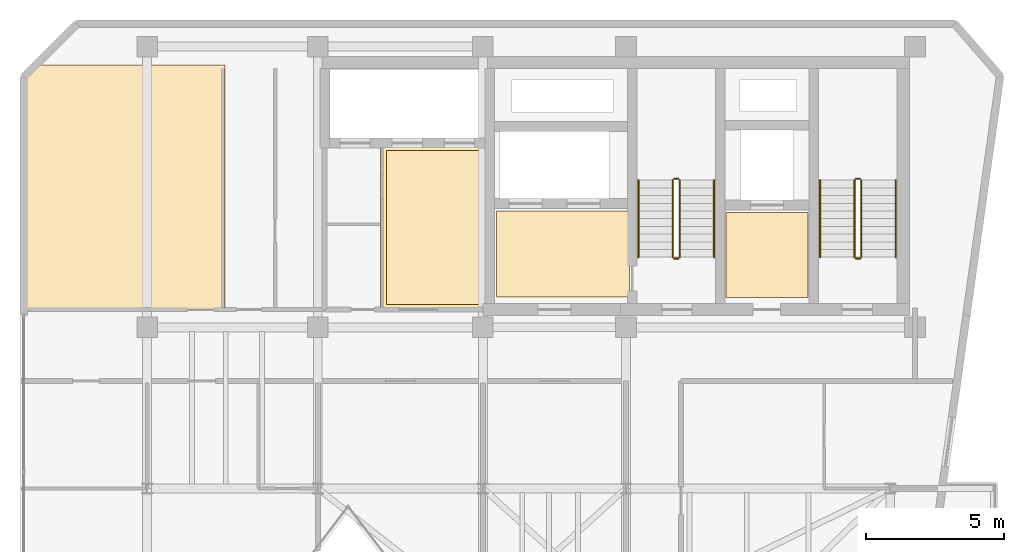
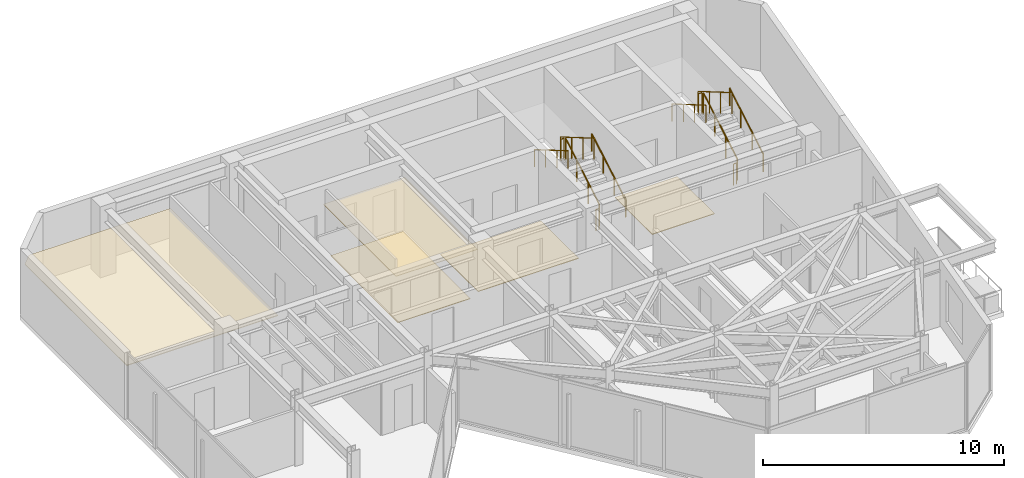
# One storey, part 15 of 16: 12 railings, 5 coverings.
"""IFC4 building model written with IfcOpenShell, lengths in metres."""

from ifc_helpers import new_model, si_unit, direction, frame, origin, origin_2d, place, context, subcontext, project, spatial, polyline, circle, outline, extrude, material, layer, layer_set, type_object, element, save


model = new_model("IFC4")

# Units and contexts
model_context = context("Model", 3, precision=1e-05, world=origin(), true_north=direction((0.0, 1.0)))
body_context = subcontext(model_context, "Body", "Model", "MODEL_VIEW")
ifc_project = project(units=[si_unit("LENGTHUNIT", "METRE"), si_unit("AREAUNIT", "SQUARE_METRE"), si_unit("VOLUMEUNIT", "CUBIC_METRE"), si_unit("PLANEANGLEUNIT", "RADIAN"), si_unit("MASSUNIT", "GRAM", prefix="KILO")], contexts=[model_context])

# Site, building, storey
site_placement = place(None, origin())
site = spatial("IfcSite", under=ifc_project, at=site_placement, CompositionType="ELEMENT")
building_placement = place(site_placement, origin())
building = spatial("IfcBuilding", under=site, at=building_placement, Name="Kravanh Interchange Tower", CompositionType="ELEMENT")
storey_placement = place(building_placement, frame((0.0, 0.0, 300.300048828125)))
storey = spatial("IfcBuildingStorey", under=building, at=storey_placement, Name="L74", CompositionType="ELEMENT", Elevation=300.300048828125)

# Coverings
ifc_material_1 = material(Name="Cementitious Terrazzo Tile")
ifc_layer_1 = layer(ifc_material_1, 0.030029296875)
ifc_layer_set_1 = layer_set([ifc_layer_1], Name="Honed Terrazzo Lobby Flooring 30mm")
covering_type_1 = type_object("IfcCoveringType", Name="Honed Terrazzo Lobby Flooring 30mm", PredefinedType="FLOORING", material=ifc_layer_set_1)
covering_1_placement = place(storey_placement, origin())
element("IfcCovering", 1, at=covering_1_placement, inside=storey, type_object=covering_type_1, Name="L74 Service Lift Lobby Floor Finish", PredefinedType="FLOORING", context=body_context, shape_type="SweptSolid", body=[
    extrude(outline(polyline([(59.6298828125, 41.52001953125), (62.6201171875, 41.52001953125), (62.6201171875, 38.429931640625), (59.6298828125, 38.429931640625), (59.6298828125, 41.52001953125)])), origin(), (0.0, 0.0, 1.0), 0.030029296875),
])
covering_2_placement = place(storey_placement, origin())
element("IfcCovering", 2, at=covering_2_placement, inside=storey, type_object=covering_type_1, Name="L74 Firefighting Lobby Floor Finish", PredefinedType="FLOORING", context=body_context, shape_type="SweptSolid", body=[
    extrude(outline(polyline([(56.1201171875, 38.4599609375), (51.300048828125, 38.4599609375), (51.300048828125, 41.580078125), (56.1201171875, 41.580078125), (56.1201171875, 38.4599609375)])), origin(), (0.0, 0.0, 1.0), 0.030029296875),
])
covering_3_placement = place(storey_placement, origin())
element("IfcCovering", 3, at=covering_3_placement, inside=storey, type_object=covering_type_1, Name="L74 High-Rise Lift Lobby Floor Finish", PredefinedType="FLOORING", context=body_context, shape_type="SweptSolid", body=[
    extrude(outline(polyline([(47.300048828125, 43.77001953125), (50.77001953125, 43.77001953125), (50.77001953125, 38.179931640625), (47.300048828125, 38.179931640625), (47.300048828125, 43.77001953125)])), origin(), (0.0, 0.0, 1.0), 0.030029296875),
])
ifc_material_2 = material(Name="Anodised Bronze Aluminium Acoustic Baffle", Category="aluminium")
ifc_layer_2 = layer(ifc_material_2, 0.034912109375)
ifc_layer_set_2 = layer_set([ifc_layer_2], Name="Linear Bronze Baffle Feature Ceiling 35mm")
covering_type_2 = type_object("IfcCoveringType", Name="Linear Bronze Baffle Feature Ceiling 35mm", PredefinedType="CEILING", material=ifc_layer_set_2)
covering_4_placement = place(storey_placement, frame((0.0, 0.0, 2.550048828125)))
element("IfcCovering", 4, at=covering_4_placement, inside=storey, type_object=covering_type_2, Name="L74 North Library Reading Lounge Suspended Ceiling", PredefinedType="CEILING", context=body_context, shape_type="SweptSolid", body=[
    extrude(outline(polyline([(41.429931640625, 37.9599609375), (34.179931640625, 37.9599609375), (34.179931640625, 46.42529296875), (34.64453125, 46.889892578125), (41.429931640625, 46.889892578125), (41.429931640625, 37.9599609375)])), origin(), (0.0, 0.0, 1.0), 0.034912109375),
])
ifc_material_3 = material(Name="Acoustic Mineral Fibre Tile on Aluminium Grid", Category="aluminium")
ifc_layer_3 = layer(ifc_material_3, 0.02490234375)
ifc_layer_set_3 = layer_set([ifc_layer_3], Name="Perforated Acoustic Mineral Ceiling 25mm")
covering_type_3 = type_object("IfcCoveringType", Name="Perforated Acoustic Mineral Ceiling 25mm", PredefinedType="CEILING", material=ifc_layer_set_3)
covering_5_placement = place(storey_placement, frame((0.0, 0.0, 2.550048828125)))
element("IfcCovering", 5, at=covering_5_placement, inside=storey, type_object=covering_type_3, Name="L74 High-Rise Lift Lobby Suspended Ceiling", PredefinedType="CEILING", context=body_context, shape_type="SweptSolid", body=[
    extrude(outline(polyline([(50.989990234375, 37.9599609375), (47.080078125, 37.9599609375), (47.080078125, 43.989990234375), (50.989990234375, 43.989990234375), (50.989990234375, 37.9599609375)])), origin(), (0.0, 0.0, 1.0), 0.02490234375),
])

# Railings
ifc_material_4 = material(Name="Structural Steel S355", Category="steel")
ifc_layer_4 = layer(ifc_material_4, 0.050048828125)
ifc_layer_set_4 = layer_set([ifc_layer_4], Name="Stair Well Guardrail Structural Steel S355 1100mm")
railing_type_1 = type_object("IfcRailingType", Name="Stair Well Guardrail Structural Steel S355 1100mm", PredefinedType="GUARDRAIL", material=ifc_layer_set_4)
railing_1_placement = place(storey_placement, frame((64.550048828125, 39.89990234375, 0.16357421875)))
element("IfcRailing", 6, at=railing_1_placement, inside=storey, type_object=railing_type_1, Name="L74 ST1 stair guard 1", PredefinedType="GUARDRAIL", context=body_context, shape_type="SweptSolid", body=[
    extrude(circle(Radius=0.02392578125, at=origin_2d()), frame((0.0, 0.0, 1.076171875), z_axis=(0.0, 0.863360870873, 0.504586966384), x_axis=(-1.0, 0.0, 0.0)), (0.0, 0.0, 1.0), 3.2431640625),
    extrude(circle(Radius=0.02099609375, at=origin_2d()), origin(), (0.0, 0.0, 1.0), 1.052001953125),
    extrude(circle(Radius=0.02099609375, at=origin_2d()), frame((0.0, 0.933349609375, 0.54541015625)), (0.0, 0.0, 1.0), 1.052001953125),
    extrude(circle(Radius=0.02099609375, at=origin_2d()), frame((0.0, 1.86669921875, 1.091064453125)), (0.0, 0.0, 1.0), 1.052001953125),
    extrude(circle(Radius=0.02099609375, at=origin_2d()), frame((0.0, 2.800048828125, 1.636474609375)), (0.0, 0.0, 1.0), 1.052001953125),
])
railing_2_placement = place(storey_placement, frame((64.5, 42.75, 1.800048828125)))
element("IfcRailing", 7, at=railing_2_placement, inside=storey, type_object=railing_type_1, Name="L74 ST1 stair guard 2", PredefinedType="GUARDRAIL", context=body_context, shape_type="SweptSolid", body=[
    extrude(circle(Radius=0.02392578125, at=origin_2d()), frame((0.0, 0.0, 1.076171875), z_axis=(-1.0, 0.0, 0.0), x_axis=(0.0, -1.0, 0.0)), (0.0, 0.0, 1.0), 0.14990234375),
    extrude(circle(Radius=0.02099609375, at=origin_2d()), origin(), (0.0, 0.0, 1.0), 1.052001953125),
    extrude(circle(Radius=0.02099609375, at=origin_2d()), frame((-0.14990234375, 0.0, 0.0)), (0.0, 0.0, 1.0), 1.052001953125),
])
railing_3_placement = place(storey_placement, frame((64.300048828125, 42.699951171875, 1.963623046875)))
element("IfcRailing", 8, at=railing_3_placement, inside=storey, type_object=railing_type_1, Name="L74 ST1 stair guard 3", PredefinedType="GUARDRAIL", context=body_context, shape_type="SweptSolid", body=[
    extrude(circle(Radius=0.02392578125, at=origin_2d()), frame((0.0, 0.0, 1.076171875), z_axis=(0.0, -0.863393664356, 0.504530851732), x_axis=(1.0, 0.0, 0.0)), (0.0, 0.0, 1.0), 3.2431640625),
    extrude(circle(Radius=0.02099609375, at=origin_2d()), origin(), (0.0, 0.0, 1.0), 1.052001953125),
    extrude(circle(Radius=0.02099609375, at=origin_2d()), frame((0.0, -0.933349609375, 0.54541015625)), (0.0, 0.0, 1.0), 1.052001953125),
    extrude(circle(Radius=0.02099609375, at=origin_2d()), frame((0.0, -1.86669921875, 1.0908203125)), (0.0, 0.0, 1.0), 1.052001953125),
    extrude(circle(Radius=0.02099609375, at=origin_2d()), frame((0.0, -2.800048828125, 1.63623046875)), (0.0, 0.0, 1.0), 1.052001953125),
])
railing_4_placement = place(storey_placement, frame((64.5, 39.85009765625, 0.0)))
element("IfcRailing", 9, at=railing_4_placement, inside=storey, type_object=railing_type_1, Name="L74 ST1 stair guard 4", PredefinedType="GUARDRAIL", context=body_context, shape_type="SweptSolid", body=[
    extrude(circle(Radius=0.02392578125, at=origin_2d()), frame((0.0, 0.0, 1.076171875), z_axis=(-1.0, 0.0, 0.0), x_axis=(0.0, -1.0, 0.0)), (0.0, 0.0, 1.0), 0.14990234375),
    extrude(circle(Radius=0.02099609375, at=origin_2d()), origin(), (0.0, 0.0, 1.0), 1.052001953125),
    extrude(circle(Radius=0.02099609375, at=origin_2d()), frame((-0.14990234375, 0.0, 0.0)), (0.0, 0.0, 1.0), 1.052001953125),
])
railing_5_placement = place(storey_placement, frame((57.949951171875, 39.89990234375, 0.16357421875)))
element("IfcRailing", 10, at=railing_5_placement, inside=storey, type_object=railing_type_1, Name="L74 ST2 stair guard 1", PredefinedType="GUARDRAIL", context=body_context, shape_type="SweptSolid", body=[
    extrude(circle(Radius=0.02392578125, at=origin_2d()), frame((0.0, 0.0, 1.076171875), z_axis=(0.0, 0.863360870873, 0.504586966384), x_axis=(-1.0, 0.0, 0.0)), (0.0, 0.0, 1.0), 3.2431640625),
    extrude(circle(Radius=0.02099609375, at=origin_2d()), origin(), (0.0, 0.0, 1.0), 1.052001953125),
    extrude(circle(Radius=0.02099609375, at=origin_2d()), frame((0.0, 0.933349609375, 0.54541015625)), (0.0, 0.0, 1.0), 1.052001953125),
    extrude(circle(Radius=0.02099609375, at=origin_2d()), frame((0.0, 1.86669921875, 1.091064453125)), (0.0, 0.0, 1.0), 1.052001953125),
    extrude(circle(Radius=0.02099609375, at=origin_2d()), frame((0.0, 2.800048828125, 1.636474609375)), (0.0, 0.0, 1.0), 1.052001953125),
])
railing_6_placement = place(storey_placement, frame((57.89990234375, 42.75, 1.800048828125)))
element("IfcRailing", 11, at=railing_6_placement, inside=storey, type_object=railing_type_1, Name="L74 ST2 stair guard 2", PredefinedType="GUARDRAIL", context=body_context, shape_type="SweptSolid", body=[
    extrude(circle(Radius=0.02392578125, at=origin_2d()), frame((0.0, 0.0, 1.076171875), z_axis=(-1.0, 0.0, 0.0), x_axis=(0.0, -1.0, 0.0)), (0.0, 0.0, 1.0), 0.14990234375),
    extrude(circle(Radius=0.02099609375, at=origin_2d()), origin(), (0.0, 0.0, 1.0), 1.052001953125),
    extrude(circle(Radius=0.02099609375, at=origin_2d()), frame((-0.14990234375, 0.0, 0.0)), (0.0, 0.0, 1.0), 1.052001953125),
])
railing_7_placement = place(storey_placement, frame((57.699951171875, 42.699951171875, 1.963623046875)))
element("IfcRailing", 12, at=railing_7_placement, inside=storey, type_object=railing_type_1, Name="L74 ST2 stair guard 3", PredefinedType="GUARDRAIL", context=body_context, shape_type="SweptSolid", body=[
    extrude(circle(Radius=0.02392578125, at=origin_2d()), frame((0.0, 0.0, 1.076171875), z_axis=(0.0, -0.863393664356, 0.504530851732), x_axis=(1.0, 0.0, 0.0)), (0.0, 0.0, 1.0), 3.2431640625),
    extrude(circle(Radius=0.02099609375, at=origin_2d()), origin(), (0.0, 0.0, 1.0), 1.052001953125),
    extrude(circle(Radius=0.02099609375, at=origin_2d()), frame((0.0, -0.933349609375, 0.54541015625)), (0.0, 0.0, 1.0), 1.052001953125),
    extrude(circle(Radius=0.02099609375, at=origin_2d()), frame((0.0, -1.86669921875, 1.0908203125)), (0.0, 0.0, 1.0), 1.052001953125),
    extrude(circle(Radius=0.02099609375, at=origin_2d()), frame((0.0, -2.800048828125, 1.63623046875)), (0.0, 0.0, 1.0), 1.052001953125),
])
railing_8_placement = place(storey_placement, frame((57.89990234375, 39.85009765625, 0.0)))
element("IfcRailing", 13, at=railing_8_placement, inside=storey, type_object=railing_type_1, Name="L74 ST2 stair guard 4", PredefinedType="GUARDRAIL", context=body_context, shape_type="SweptSolid", body=[
    extrude(circle(Radius=0.02392578125, at=origin_2d()), frame((0.0, 0.0, 1.076171875), z_axis=(-1.0, 0.0, 0.0), x_axis=(0.0, -1.0, 0.0)), (0.0, 0.0, 1.0), 0.14990234375),
    extrude(circle(Radius=0.02099609375, at=origin_2d()), origin(), (0.0, 0.0, 1.0), 1.052001953125),
    extrude(circle(Radius=0.02099609375, at=origin_2d()), frame((-0.14990234375, 0.0, 0.0)), (0.0, 0.0, 1.0), 1.052001953125),
])
ifc_material_5 = material(Name="Stainless Steel 304", Category="steel")
ifc_layer_5 = layer(ifc_material_5, 0.044921875)
ifc_layer_set_5 = layer_set([ifc_layer_5], Name="Tubular Stair Handrail Stainless 304 900mm")
railing_type_2 = type_object("IfcRailingType", Name="Tubular Stair Handrail Stainless 304 900mm", PredefinedType="HANDRAIL", material=ifc_layer_set_5)
railing_9_placement = place(storey_placement, frame((65.800048828125, 39.89990234375, 0.16357421875)))
element("IfcRailing", 14, at=railing_9_placement, inside=storey, type_object=railing_type_2, Name="L74 ST1 stair handrail 1", PredefinedType="HANDRAIL", context=body_context, shape_type="SweptSolid", body=[
    extrude(circle(Radius=0.02392578125, at=origin_2d()), frame((0.0, 0.0, 0.8759765625), z_axis=(0.0, 0.863360870873, 0.504586966384), x_axis=(-1.0, 0.0, 0.0)), (0.0, 0.0, 1.0), 3.2431640625),
    extrude(circle(Radius=0.02099609375, at=origin_2d()), origin(), (0.0, 0.0, 1.0), 0.851806640625),
    extrude(circle(Radius=0.02099609375, at=origin_2d()), frame((0.0, 0.933349609375, 0.54541015625)), (0.0, 0.0, 1.0), 0.851806640625),
    extrude(circle(Radius=0.02099609375, at=origin_2d()), frame((0.0, 1.86669921875, 1.091064453125)), (0.0, 0.0, 1.0), 0.851806640625),
    extrude(circle(Radius=0.02099609375, at=origin_2d()), frame((0.0, 2.800048828125, 1.636474609375)), (0.0, 0.0, 1.0), 0.851806640625),
])
railing_10_placement = place(storey_placement, frame((63.050048828125, 42.699951171875, 1.963623046875)))
element("IfcRailing", 15, at=railing_10_placement, inside=storey, type_object=railing_type_2, Name="L74 ST1 stair handrail 2", PredefinedType="HANDRAIL", context=body_context, shape_type="SweptSolid", body=[
    extrude(circle(Radius=0.02392578125, at=origin_2d()), frame((0.0, 0.0, 0.8759765625), z_axis=(0.0, -0.863393664356, 0.504530851732), x_axis=(1.0, 0.0, 0.0)), (0.0, 0.0, 1.0), 3.2431640625),
    extrude(circle(Radius=0.02099609375, at=origin_2d()), origin(), (0.0, 0.0, 1.0), 0.851806640625),
    extrude(circle(Radius=0.02099609375, at=origin_2d()), frame((0.0, -0.933349609375, 0.54541015625)), (0.0, 0.0, 1.0), 0.851806640625),
    extrude(circle(Radius=0.02099609375, at=origin_2d()), frame((0.0, -1.86669921875, 1.0908203125)), (0.0, 0.0, 1.0), 0.851806640625),
    extrude(circle(Radius=0.02099609375, at=origin_2d()), frame((0.0, -2.800048828125, 1.63623046875)), (0.0, 0.0, 1.0), 0.851806640625),
])
railing_11_placement = place(storey_placement, frame((59.199951171875, 39.89990234375, 0.16357421875)))
element("IfcRailing", 16, at=railing_11_placement, inside=storey, type_object=railing_type_2, Name="L74 ST2 stair handrail 1", PredefinedType="HANDRAIL", context=body_context, shape_type="SweptSolid", body=[
    extrude(circle(Radius=0.02392578125, at=origin_2d()), frame((0.0, 0.0, 0.8759765625), z_axis=(0.0, 0.863360870873, 0.504586966384), x_axis=(-1.0, 0.0, 0.0)), (0.0, 0.0, 1.0), 3.2431640625),
    extrude(circle(Radius=0.02099609375, at=origin_2d()), origin(), (0.0, 0.0, 1.0), 0.851806640625),
    extrude(circle(Radius=0.02099609375, at=origin_2d()), frame((0.0, 0.933349609375, 0.54541015625)), (0.0, 0.0, 1.0), 0.851806640625),
    extrude(circle(Radius=0.02099609375, at=origin_2d()), frame((0.0, 1.86669921875, 1.091064453125)), (0.0, 0.0, 1.0), 0.851806640625),
    extrude(circle(Radius=0.02099609375, at=origin_2d()), frame((0.0, 2.800048828125, 1.636474609375)), (0.0, 0.0, 1.0), 0.851806640625),
])
railing_12_placement = place(storey_placement, frame((56.449951171875, 42.699951171875, 1.963623046875)))
element("IfcRailing", 17, at=railing_12_placement, inside=storey, type_object=railing_type_2, Name="L74 ST2 stair handrail 2", PredefinedType="HANDRAIL", context=body_context, shape_type="SweptSolid", body=[
    extrude(circle(Radius=0.02392578125, at=origin_2d()), frame((0.0, 0.0, 0.8759765625), z_axis=(0.0, -0.863393664356, 0.504530851732), x_axis=(1.0, 0.0, 0.0)), (0.0, 0.0, 1.0), 3.2431640625),
    extrude(circle(Radius=0.02099609375, at=origin_2d()), origin(), (0.0, 0.0, 1.0), 0.851806640625),
    extrude(circle(Radius=0.02099609375, at=origin_2d()), frame((0.0, -0.933349609375, 0.54541015625)), (0.0, 0.0, 1.0), 0.851806640625),
    extrude(circle(Radius=0.02099609375, at=origin_2d()), frame((0.0, -1.86669921875, 1.0908203125)), (0.0, 0.0, 1.0), 0.851806640625),
    extrude(circle(Radius=0.02099609375, at=origin_2d()), frame((0.0, -2.800048828125, 1.63623046875)), (0.0, 0.0, 1.0), 0.851806640625),
])

save(model, "model.ifc")
